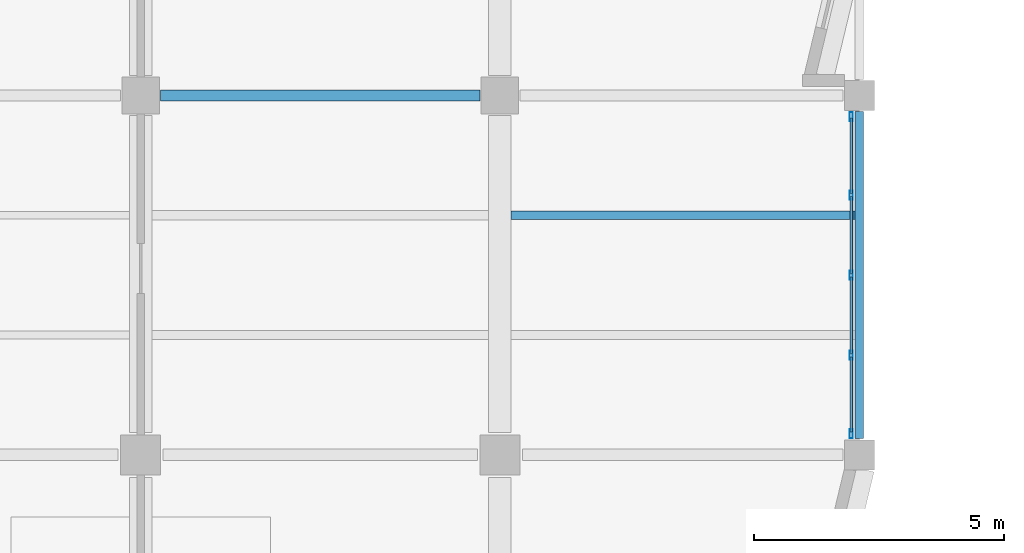
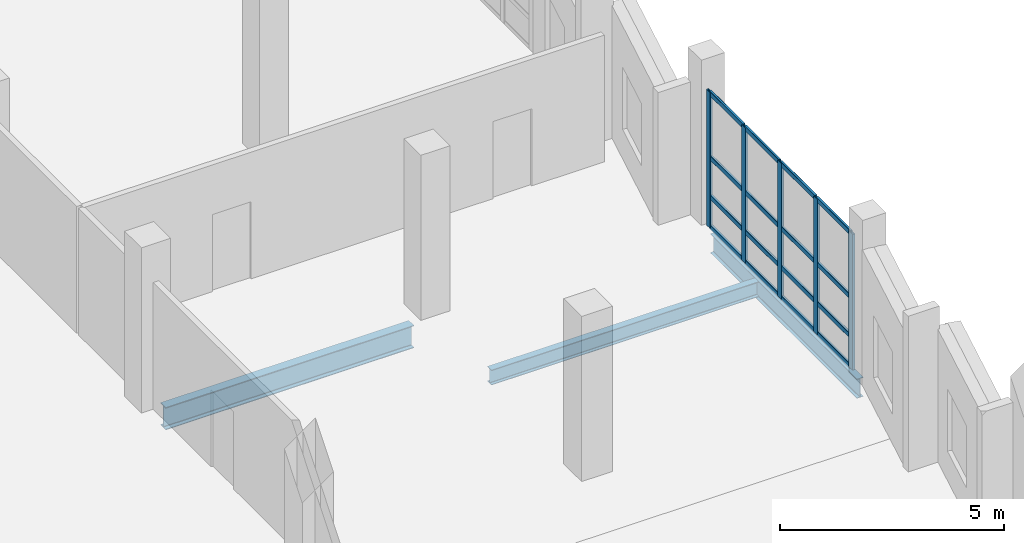
# One storey, part 42 of 123: 21 members, 3 beams, 1 element without a shape of its own.
"""IFC4 building model written with IfcOpenShell, lengths in metres."""

import ifcopenshell
import ifcopenshell.guid

model = None  # the IFC model being written
_history = None  # IfcOwnerHistory: only IFC2X3 demands one
_inside = {}  # id of a spatial element -> (the spatial element, [elements in it])
_under = {}  # id of a project, library or spatial element -> (it, [spatial elements below it])
_declared = {}  # id of a project -> (the project, [libraries it declares])
_typed = {}  # id of a type object -> (the type object, [elements of that type])
_made_of = {}  # id of a material, layer set ... -> (it, [elements and type objects made of it])


def new_model(schema):
    """Start an empty IFC model of exactly this schema.

    Asked for "IFC4X3", IfcOpenShell would pick the latest addendum, in which some entities
    have other attributes; the version numbers below select the first issue.
    IFC2X3 requires an IfcOwnerHistory on every rooted entity: one is made here for all.
    """
    global model, _history
    if schema == "IFC4X3":
        model = ifcopenshell.file(schema_version=(4, 3, 0, 0))
    else:
        model = ifcopenshell.file(schema=schema)
    _inside.clear()
    _under.clear()
    _declared.clear()
    _typed.clear()
    _made_of.clear()
    _history = None
    if model.schema == "IFC2X3":
        org = make("IfcOrganization", Name="unknown")
        user = make(
            "IfcPersonAndOrganization",
            ThePerson=make("IfcPerson", FamilyName="unknown"),
            TheOrganization=org,
        )
        app = make(
            "IfcApplication",
            ApplicationDeveloper=org,
            Version="unknown",
            ApplicationFullName="unknown",
            ApplicationIdentifier="unknown",
        )
        _history = make(
            "IfcOwnerHistory",
            OwningUser=user,
            OwningApplication=app,
            ChangeAction="ADDED",
            CreationDate=0,
        )
    return model


def make(cls, **values):
    """One entity of the class cls with the attributes given. An attribute that is None is left unset."""
    return model.create_entity(
        cls, **{name: value for name, value in values.items() if value is not None}
    )


def rooted(cls, **values):
    """An entity with a GlobalId (a new one), such as an element, a storey or a relation."""
    return make(cls, GlobalId=ifcopenshell.guid.new(), OwnerHistory=_history, **values)


def si_unit(unit_type, name, prefix=None):
    """IfcSIUnit, for example si_unit("LENGTHUNIT", "METRE", prefix="MILLI")."""
    return make("IfcSIUnit", UnitType=unit_type, Prefix=prefix, Name=name)


def assignment(units):
    """IfcUnitAssignment: the units of a project."""
    return None if units is None else make("IfcUnitAssignment", Units=units)


def point(xyz):
    """IfcCartesianPoint."""
    return None if xyz is None else make("IfcCartesianPoint", Coordinates=xyz)


def direction(xyz):
    """IfcDirection."""
    return None if xyz is None else make("IfcDirection", DirectionRatios=xyz)


def frame(location, z_axis=None, x_axis=None):
    """IfcAxis2Placement3D, a coordinate frame: its origin and axes. An axis left out is left unset."""
    return make(
        "IfcAxis2Placement3D",
        Location=point(location),
        Axis=direction(z_axis),
        RefDirection=direction(x_axis),
    )


def frame_2d(location, x_axis=None):
    """IfcAxis2Placement2D, a coordinate frame in the plane: its origin and x axis."""
    return make(
        "IfcAxis2Placement2D", Location=point(location), RefDirection=direction(x_axis)
    )


def origin():
    """The frame at (0, 0, 0) with its axes left unset."""
    return frame((0.0, 0.0, 0.0))


def origin_2d():
    """The frame at (0, 0) in the plane with its x axis left unset."""
    return frame_2d((0.0, 0.0))


def place(relative_to, where):
    """IfcLocalPlacement: puts the frame where relative to a parent placement (None: the world)."""
    return make(
        "IfcLocalPlacement", PlacementRelTo=relative_to, RelativePlacement=where
    )


def context(
    kind, dimensions, precision=None, world=None, true_north=None, identifier=None
):
    """IfcGeometricRepresentationContext, for example the 3D "Model" context."""
    return make(
        "IfcGeometricRepresentationContext",
        ContextIdentifier=identifier,
        ContextType=kind,
        CoordinateSpaceDimension=dimensions,
        Precision=precision,
        WorldCoordinateSystem=world,
        TrueNorth=true_north,
    )


def subcontext(parent, identifier, kind, view, scale=None):
    """IfcGeometricRepresentationSubContext, for example "Body" below "Model"."""
    return make(
        "IfcGeometricRepresentationSubContext",
        ContextIdentifier=identifier,
        ContextType=kind,
        ParentContext=parent,
        TargetScale=scale,
        TargetView=view,
    )


def project(units=None, contexts=None):
    """IfcProject with its units and contexts."""
    return rooted(
        "IfcProject",
        Name="project",
        RepresentationContexts=contexts,
        UnitsInContext=assignment(units),
    )


def spatial(cls, under=None, at=None, **own):
    """A site, building, storey or space (cls), placed at a placement, below another one or the project."""
    s = rooted(cls, ObjectPlacement=at, **own)
    if under is not None:
        _under.setdefault(under.id(), (under, []))[1].append(s)
    return s


def profile(cls, at=None, kind="AREA", **sizes):
    """A parametric profile (cls). Its sizes go by their IFC names, for example OverallWidth=200.0."""
    return make(cls, ProfileType=kind, Position=at, **sizes)


def hollow_rectangle(**sizes):
    """IfcRectangleHollowProfileDef."""
    return profile("IfcRectangleHollowProfileDef", **sizes)


def i_section(**sizes):
    """IfcIShapeProfileDef."""
    return profile("IfcIShapeProfileDef", **sizes)


def extrude(swept, where, along, depth):
    """IfcExtrudedAreaSolid: the profile swept, set in the frame where, extruded along a direction by depth."""
    return make(
        "IfcExtrudedAreaSolid",
        SweptArea=swept,
        Position=where,
        ExtrudedDirection=direction(along),
        Depth=depth,
    )


def shape(context_of_items, identifier, shape_type, items):
    """IfcShapeRepresentation: the items that make up one representation, for example the "Body"."""
    return make(
        "IfcShapeRepresentation",
        ContextOfItems=context_of_items,
        RepresentationIdentifier=identifier,
        RepresentationType=shape_type,
        Items=items,
    )


def material(Name=None, Category=None):
    """IfcMaterial."""
    return make("IfcMaterial", Name=Name, Category=Category)


def material_profile(
    of_material, cross_section, Name=None, Category=None, Priority=None
):
    """IfcMaterialProfile: a cross section and its material."""
    return make(
        "IfcMaterialProfile",
        Name=Name,
        Material=of_material,
        Profile=cross_section,
        Priority=Priority,
        Category=Category,
    )


def profile_set(profiles, Name=None, composite=None):
    """IfcMaterialProfileSet."""
    return make(
        "IfcMaterialProfileSet",
        Name=Name,
        MaterialProfiles=profiles,
        CompositeProfile=composite,
    )


def made_of(thing, what):
    """Note that an element or type object is made of a material, layer set ...; save() writes the relation."""
    if what is not None:
        _made_of.setdefault(what.id(), (what, []))[1].append(thing)
    return thing


def type_object(cls, material=None, **own):
    """A type object (cls), such as IfcWallType, which elements share."""
    return made_of(rooted(cls, **own), material)


def element(
    cls,
    number,
    at=None,
    inside=None,
    cuts=None,
    type_object=None,
    material=None,
    context=None,
    identifier="Body",
    shape_type=None,
    held_by="IfcProductDefinitionShape",
    body=None,
    shapes=None,
    **own,
):
    """One element of the class cls, such as IfcWall. Its Tag is "e" and its number.

    at: its placement. inside: the storey or other place that contains it. cuts: it is an
    opening in that element (IfcRelVoidsElement). A single representation is given by context,
    identifier, shape_type and body (its items); several are given by shapes. held_by: the class
    of the entity that holds the representations. save() writes the other relations.
    """
    e = rooted(cls, Tag="e%d" % number, ObjectPlacement=at, **own)
    if body is not None:
        shapes = [shape(context, identifier, shape_type, body)]
    if shapes is not None:
        e.Representation = make(held_by, Representations=shapes)
    if inside is not None:
        _inside.setdefault(inside.id(), (inside, []))[1].append(e)
    if cuts is not None:
        rooted(
            "IfcRelVoidsElement", RelatingBuildingElement=cuts, RelatedOpeningElement=e
        )
    if type_object is not None:
        _typed.setdefault(type_object.id(), (type_object, []))[1].append(e)
    return made_of(e, material)


def aggregate(whole, parts):
    """IfcRelAggregates: a whole, such as a stair, and the parts it consists of."""
    return rooted("IfcRelAggregates", RelatingObject=whole, RelatedObjects=parts)


def save(model, path):
    """Write the relations noted so far, then the file.

    IfcRelAggregates (storeys below a building ...), IfcRelContainedInSpatialStructure (elements
    in a storey), IfcRelDefinesByType, IfcRelAssociatesMaterial and IfcRelDeclares: one each for
    every whole, place, type object, material and project.
    """
    for whole, parts in _under.values():
        aggregate(whole, parts)
    for where, things in _inside.values():
        rooted(
            "IfcRelContainedInSpatialStructure",
            RelatedElements=things,
            RelatingStructure=where,
        )
    for kind, things in _typed.values():
        rooted("IfcRelDefinesByType", RelatedObjects=things, RelatingType=kind)
    for what, things in _made_of.values():
        rooted("IfcRelAssociatesMaterial", RelatedObjects=things, RelatingMaterial=what)
    for by, libraries in _declared.values():
        rooted("IfcRelDeclares", RelatingContext=by, RelatedDefinitions=libraries)
    model.write(path)


model = new_model("IFC4")

# Units and contexts
model_context = context("Model", 3, precision=1e-05, world=origin(), true_north=direction((0.0, 1.0)))
body_context = subcontext(model_context, "Body", "Model", "MODEL_VIEW")
ifc_project = project(units=[si_unit("LENGTHUNIT", "METRE"), si_unit("AREAUNIT", "SQUARE_METRE"), si_unit("VOLUMEUNIT", "CUBIC_METRE"), si_unit("PLANEANGLEUNIT", "RADIAN"), si_unit("MASSUNIT", "GRAM", prefix="KILO")], contexts=[model_context])

# Site, building, storey
site_placement = place(None, origin())
site = spatial("IfcSite", under=ifc_project, at=site_placement, CompositionType="ELEMENT")
building_placement = place(site_placement, origin())
building = spatial("IfcBuilding", under=site, at=building_placement, Name="Kalmorath City Hall", CompositionType="ELEMENT")
storey_placement = place(building_placement, frame((0.0, 0.0, 10.199951171875)))
storey = spatial("IfcBuildingStorey", under=building, at=storey_placement, Name="L02", CompositionType="ELEMENT", Elevation=10.199951171875)

# Curtain wall, members
ifc_material_1 = material(Name="Anodised aluminium and laminated glass", Category="aluminium")
curtain_wall_type = type_object("IfcCurtainWallType", Name="Unitised hurricane curtain wall 6420x3696 M1450", PredefinedType="NOTDEFINED", material=ifc_material_1)
curtain_wall_placement = place(storey_placement, origin())
curtain_wall = element("IfcCurtainWall", 1, at=curtain_wall_placement, inside=storey, type_object=curtain_wall_type, Name="L02 curtain wall CW-64X37M14 #140", PredefinedType="NOTDEFINED")
ifc_material_2 = material(Name="Anodised aluminium framing", Category="aluminium")
ifc_material_profile_1 = material_profile(ifc_material_2, hollow_rectangle(XDim=0.06494140625, YDim=0.179931640625, WallThickness=0.00390625, InnerFilletRadius=0.00390625, OuterFilletRadius=0.008056640625, at=origin_2d()), Name="ALU-MUL-180X65X4")
ifc_profile_set_1 = profile_set([ifc_material_profile_1], Name="Anodised aluminium framing")
member_type_1 = type_object("IfcMemberType", Name="Curtain-wall courtyard mullion 180x65", PredefinedType="MULLION", material=ifc_profile_set_1)
member_1_placement = place(storey_placement, frame((28.639892578125, 71.577392578125, 0.0), z_axis=(0.0, 0.0, 1.0), x_axis=(1.0, 0.0, 0.0)))
member_1 = element("IfcMember", 2, at=member_1_placement, type_object=member_type_1, Name="CW-64X37M14 mullion 1", PredefinedType="MULLION", context=body_context, shape_type="SweptSolid", body=[
    extrude(hollow_rectangle(XDim=0.06494140625, YDim=0.179931640625, WallThickness=0.00390625, InnerFilletRadius=0.00390625, OuterFilletRadius=0.008056640625, at=origin_2d()), origin(), (0.0, 0.0, 1.0), 3.696044921875),
])
member_2_placement = place(storey_placement, frame((28.639892578125, 70.0048828125, 0.0), z_axis=(0.0, 0.0, 1.0), x_axis=(1.0, 0.0, 0.0)))
member_2 = element("IfcMember", 3, at=member_2_placement, type_object=member_type_1, Name="CW-64X37M14 mullion 2", PredefinedType="MULLION", context=body_context, shape_type="SweptSolid", body=[
    extrude(hollow_rectangle(XDim=0.06494140625, YDim=0.179931640625, WallThickness=0.00390625, InnerFilletRadius=0.00390625, OuterFilletRadius=0.008056640625, at=origin_2d()), origin(), (0.0, 0.0, 1.0), 3.696044921875),
])
member_3_placement = place(storey_placement, frame((28.639892578125, 68.39990234375, 0.0), z_axis=(0.0, 0.0, 1.0), x_axis=(1.0, 0.0, 0.0)))
member_3 = element("IfcMember", 4, at=member_3_placement, type_object=member_type_1, Name="CW-64X37M14 mullion 3", PredefinedType="MULLION", context=body_context, shape_type="SweptSolid", body=[
    extrude(hollow_rectangle(XDim=0.06494140625, YDim=0.179931640625, WallThickness=0.00390625, InnerFilletRadius=0.00390625, OuterFilletRadius=0.008056640625, at=origin_2d()), origin(), (0.0, 0.0, 1.0), 3.696044921875),
])
member_4_placement = place(storey_placement, frame((28.639892578125, 66.794921875, 0.0), z_axis=(0.0, 0.0, 1.0), x_axis=(1.0, 0.0, 0.0)))
member_4 = element("IfcMember", 5, at=member_4_placement, type_object=member_type_1, Name="CW-64X37M14 mullion 4", PredefinedType="MULLION", context=body_context, shape_type="SweptSolid", body=[
    extrude(hollow_rectangle(XDim=0.06494140625, YDim=0.179931640625, WallThickness=0.00390625, InnerFilletRadius=0.00390625, OuterFilletRadius=0.008056640625, at=origin_2d()), origin(), (0.0, 0.0, 1.0), 3.696044921875),
])
member_5_placement = place(storey_placement, frame((28.639892578125, 65.222412109375, 0.0), z_axis=(0.0, 0.0, 1.0), x_axis=(1.0, 0.0, 0.0)))
member_5 = element("IfcMember", 6, at=member_5_placement, type_object=member_type_1, Name="CW-64X37M14 mullion 5", PredefinedType="MULLION", context=body_context, shape_type="SweptSolid", body=[
    extrude(hollow_rectangle(XDim=0.06494140625, YDim=0.179931640625, WallThickness=0.00390625, InnerFilletRadius=0.00390625, OuterFilletRadius=0.008056640625, at=origin_2d()), origin(), (0.0, 0.0, 1.0), 3.696044921875),
])
ifc_material_3 = material(Name="Anodised aluminium framing", Category="aluminium")
ifc_material_profile_2 = material_profile(ifc_material_3, hollow_rectangle(XDim=0.06005859375, YDim=0.1298828125, WallThickness=0.00341796875, InnerFilletRadius=0.00341796875, OuterFilletRadius=0.007080078125, at=origin_2d()), Name="ALU-TRN-130X60X3.5")
ifc_profile_set_2 = profile_set([ifc_material_profile_2], Name="Anodised aluminium framing")
member_type_2 = type_object("IfcMemberType", Name="Curtain-wall courtyard transom 130x60", PredefinedType="USERDEFINED", material=ifc_profile_set_2)
member_6_placement = place(storey_placement, frame((28.639892578125, 71.544921875, 0.030029296875), z_axis=(0.0, -1.0, 0.0), x_axis=(1.0, 0.0, 0.0)))
member_6 = element("IfcMember", 7, at=member_6_placement, type_object=member_type_2, Name="CW-64X37M14 transom 1.1", ObjectType="TRANSOM", PredefinedType="USERDEFINED", context=body_context, shape_type="SweptSolid", body=[
    extrude(hollow_rectangle(XDim=0.06005859375, YDim=0.1298828125, WallThickness=0.00341796875, InnerFilletRadius=0.00341796875, OuterFilletRadius=0.007080078125, at=origin_2d()), origin(), (0.0, 0.0, 1.0), 1.50732421875),
])
member_7_placement = place(storey_placement, frame((28.639892578125, 71.544921875, 0.85009765625), z_axis=(0.0, -1.0, 0.0), x_axis=(1.0, 0.0, 0.0)))
member_7 = element("IfcMember", 8, at=member_7_placement, type_object=member_type_2, Name="CW-64X37M14 transom 1.2", ObjectType="TRANSOM", PredefinedType="USERDEFINED", context=body_context, shape_type="SweptSolid", body=[
    extrude(hollow_rectangle(XDim=0.06005859375, YDim=0.1298828125, WallThickness=0.00341796875, InnerFilletRadius=0.00341796875, OuterFilletRadius=0.007080078125, at=origin_2d()), origin(), (0.0, 0.0, 1.0), 1.50732421875),
])
member_8_placement = place(storey_placement, frame((28.639892578125, 71.544921875, 1.922119140625), z_axis=(0.0, -1.0, 0.0), x_axis=(1.0, 0.0, 0.0)))
member_8 = element("IfcMember", 9, at=member_8_placement, type_object=member_type_2, Name="CW-64X37M14 transom 1.3", ObjectType="TRANSOM", PredefinedType="USERDEFINED", context=body_context, shape_type="SweptSolid", body=[
    extrude(hollow_rectangle(XDim=0.06005859375, YDim=0.1298828125, WallThickness=0.00341796875, InnerFilletRadius=0.00341796875, OuterFilletRadius=0.007080078125, at=origin_2d()), origin(), (0.0, 0.0, 1.0), 1.50732421875),
])
member_9_placement = place(storey_placement, frame((28.639892578125, 71.544921875, 3.666015625), z_axis=(0.0, -1.0, 0.0), x_axis=(1.0, 0.0, 0.0)))
member_9 = element("IfcMember", 10, at=member_9_placement, type_object=member_type_2, Name="CW-64X37M14 transom 1.4", ObjectType="TRANSOM", PredefinedType="USERDEFINED", context=body_context, shape_type="SweptSolid", body=[
    extrude(hollow_rectangle(XDim=0.06005859375, YDim=0.1298828125, WallThickness=0.00341796875, InnerFilletRadius=0.00341796875, OuterFilletRadius=0.007080078125, at=origin_2d()), origin(), (0.0, 0.0, 1.0), 1.50732421875),
])
member_10_placement = place(storey_placement, frame((28.639892578125, 69.972412109375, 0.030029296875), z_axis=(0.0, -1.0, 0.0), x_axis=(1.0, 0.0, 0.0)))
member_10 = element("IfcMember", 11, at=member_10_placement, type_object=member_type_2, Name="CW-64X37M14 transom 2.1", ObjectType="TRANSOM", PredefinedType="USERDEFINED", context=body_context, shape_type="SweptSolid", body=[
    extrude(hollow_rectangle(XDim=0.06005859375, YDim=0.1298828125, WallThickness=0.00341796875, InnerFilletRadius=0.00341796875, OuterFilletRadius=0.007080078125, at=origin_2d()), origin(), (0.0, 0.0, 1.0), 1.539794921875),
])
member_11_placement = place(storey_placement, frame((28.639892578125, 69.972412109375, 0.85009765625), z_axis=(0.0, -1.0, 0.0), x_axis=(1.0, 0.0, 0.0)))
member_11 = element("IfcMember", 12, at=member_11_placement, type_object=member_type_2, Name="CW-64X37M14 transom 2.2", ObjectType="TRANSOM", PredefinedType="USERDEFINED", context=body_context, shape_type="SweptSolid", body=[
    extrude(hollow_rectangle(XDim=0.06005859375, YDim=0.1298828125, WallThickness=0.00341796875, InnerFilletRadius=0.00341796875, OuterFilletRadius=0.007080078125, at=origin_2d()), origin(), (0.0, 0.0, 1.0), 1.539794921875),
])
member_12_placement = place(storey_placement, frame((28.639892578125, 69.972412109375, 1.922119140625), z_axis=(0.0, -1.0, 0.0), x_axis=(1.0, 0.0, 0.0)))
member_12 = element("IfcMember", 13, at=member_12_placement, type_object=member_type_2, Name="CW-64X37M14 transom 2.3", ObjectType="TRANSOM", PredefinedType="USERDEFINED", context=body_context, shape_type="SweptSolid", body=[
    extrude(hollow_rectangle(XDim=0.06005859375, YDim=0.1298828125, WallThickness=0.00341796875, InnerFilletRadius=0.00341796875, OuterFilletRadius=0.007080078125, at=origin_2d()), origin(), (0.0, 0.0, 1.0), 1.539794921875),
])
member_13_placement = place(storey_placement, frame((28.639892578125, 69.972412109375, 3.666015625), z_axis=(0.0, -1.0, 0.0), x_axis=(1.0, 0.0, 0.0)))
member_13 = element("IfcMember", 14, at=member_13_placement, type_object=member_type_2, Name="CW-64X37M14 transom 2.4", ObjectType="TRANSOM", PredefinedType="USERDEFINED", context=body_context, shape_type="SweptSolid", body=[
    extrude(hollow_rectangle(XDim=0.06005859375, YDim=0.1298828125, WallThickness=0.00341796875, InnerFilletRadius=0.00341796875, OuterFilletRadius=0.007080078125, at=origin_2d()), origin(), (0.0, 0.0, 1.0), 1.539794921875),
])
member_14_placement = place(storey_placement, frame((28.639892578125, 68.367431640625, 0.030029296875), z_axis=(0.0, -1.0, 0.0), x_axis=(1.0, 0.0, 0.0)))
member_14 = element("IfcMember", 15, at=member_14_placement, type_object=member_type_2, Name="CW-64X37M14 transom 3.1", ObjectType="TRANSOM", PredefinedType="USERDEFINED", context=body_context, shape_type="SweptSolid", body=[
    extrude(hollow_rectangle(XDim=0.06005859375, YDim=0.1298828125, WallThickness=0.00341796875, InnerFilletRadius=0.00341796875, OuterFilletRadius=0.007080078125, at=origin_2d()), origin(), (0.0, 0.0, 1.0), 1.5400390625),
])
member_15_placement = place(storey_placement, frame((28.639892578125, 68.367431640625, 0.85009765625), z_axis=(0.0, -1.0, 0.0), x_axis=(1.0, 0.0, 0.0)))
member_15 = element("IfcMember", 16, at=member_15_placement, type_object=member_type_2, Name="CW-64X37M14 transom 3.2", ObjectType="TRANSOM", PredefinedType="USERDEFINED", context=body_context, shape_type="SweptSolid", body=[
    extrude(hollow_rectangle(XDim=0.06005859375, YDim=0.1298828125, WallThickness=0.00341796875, InnerFilletRadius=0.00341796875, OuterFilletRadius=0.007080078125, at=origin_2d()), origin(), (0.0, 0.0, 1.0), 1.5400390625),
])
member_16_placement = place(storey_placement, frame((28.639892578125, 68.367431640625, 1.922119140625), z_axis=(0.0, -1.0, 0.0), x_axis=(1.0, 0.0, 0.0)))
member_16 = element("IfcMember", 17, at=member_16_placement, type_object=member_type_2, Name="CW-64X37M14 transom 3.3", ObjectType="TRANSOM", PredefinedType="USERDEFINED", context=body_context, shape_type="SweptSolid", body=[
    extrude(hollow_rectangle(XDim=0.06005859375, YDim=0.1298828125, WallThickness=0.00341796875, InnerFilletRadius=0.00341796875, OuterFilletRadius=0.007080078125, at=origin_2d()), origin(), (0.0, 0.0, 1.0), 1.5400390625),
])
member_17_placement = place(storey_placement, frame((28.639892578125, 68.367431640625, 3.666015625), z_axis=(0.0, -1.0, 0.0), x_axis=(1.0, 0.0, 0.0)))
member_17 = element("IfcMember", 18, at=member_17_placement, type_object=member_type_2, Name="CW-64X37M14 transom 3.4", ObjectType="TRANSOM", PredefinedType="USERDEFINED", context=body_context, shape_type="SweptSolid", body=[
    extrude(hollow_rectangle(XDim=0.06005859375, YDim=0.1298828125, WallThickness=0.00341796875, InnerFilletRadius=0.00341796875, OuterFilletRadius=0.007080078125, at=origin_2d()), origin(), (0.0, 0.0, 1.0), 1.5400390625),
])
member_18_placement = place(storey_placement, frame((28.639892578125, 66.762451171875, 0.030029296875), z_axis=(0.0, -1.0, 0.0), x_axis=(1.0, 0.0, 0.0)))
member_18 = element("IfcMember", 19, at=member_18_placement, type_object=member_type_2, Name="CW-64X37M14 transom 4.1", ObjectType="TRANSOM", PredefinedType="USERDEFINED", context=body_context, shape_type="SweptSolid", body=[
    extrude(hollow_rectangle(XDim=0.06005859375, YDim=0.1298828125, WallThickness=0.00341796875, InnerFilletRadius=0.00341796875, OuterFilletRadius=0.007080078125, at=origin_2d()), origin(), (0.0, 0.0, 1.0), 1.507568359375),
])
member_19_placement = place(storey_placement, frame((28.639892578125, 66.762451171875, 0.85009765625), z_axis=(0.0, -1.0, 0.0), x_axis=(1.0, 0.0, 0.0)))
member_19 = element("IfcMember", 20, at=member_19_placement, type_object=member_type_2, Name="CW-64X37M14 transom 4.2", ObjectType="TRANSOM", PredefinedType="USERDEFINED", context=body_context, shape_type="SweptSolid", body=[
    extrude(hollow_rectangle(XDim=0.06005859375, YDim=0.1298828125, WallThickness=0.00341796875, InnerFilletRadius=0.00341796875, OuterFilletRadius=0.007080078125, at=origin_2d()), origin(), (0.0, 0.0, 1.0), 1.507568359375),
])
member_20_placement = place(storey_placement, frame((28.639892578125, 66.762451171875, 1.922119140625), z_axis=(0.0, -1.0, 0.0), x_axis=(1.0, 0.0, 0.0)))
member_20 = element("IfcMember", 21, at=member_20_placement, type_object=member_type_2, Name="CW-64X37M14 transom 4.3", ObjectType="TRANSOM", PredefinedType="USERDEFINED", context=body_context, shape_type="SweptSolid", body=[
    extrude(hollow_rectangle(XDim=0.06005859375, YDim=0.1298828125, WallThickness=0.00341796875, InnerFilletRadius=0.00341796875, OuterFilletRadius=0.007080078125, at=origin_2d()), origin(), (0.0, 0.0, 1.0), 1.507568359375),
])
member_21_placement = place(storey_placement, frame((28.639892578125, 66.762451171875, 3.666015625), z_axis=(0.0, -1.0, 0.0), x_axis=(1.0, 0.0, 0.0)))
member_21 = element("IfcMember", 22, at=member_21_placement, type_object=member_type_2, Name="CW-64X37M14 transom 4.4", ObjectType="TRANSOM", PredefinedType="USERDEFINED", context=body_context, shape_type="SweptSolid", body=[
    extrude(hollow_rectangle(XDim=0.06005859375, YDim=0.1298828125, WallThickness=0.00341796875, InnerFilletRadius=0.00341796875, OuterFilletRadius=0.007080078125, at=origin_2d()), origin(), (0.0, 0.0, 1.0), 1.507568359375),
])
aggregate(curtain_wall, [member_1, member_2, member_3, member_4, member_5, member_6, member_7, member_8, member_9, member_10, member_11, member_12, member_13, member_14, member_15, member_16, member_17, member_18, member_19, member_20, member_21])

# Beams
ifc_material_4 = material(Name="Steel ASTM A992 Grade 50", Category="steel")
ifc_material_profile_3 = material_profile(ifc_material_4, i_section(OverallWidth=0.178955078125, OverallDepth=0.409912109375, WebThickness=0.0087890625, FlangeThickness=0.014404296875, FilletRadius=0.012939453125, at=origin_2d()), Name="W16X45")
ifc_profile_set_3 = profile_set([ifc_material_profile_3], Name="Steel ASTM A992 Grade 50")
beam_type_1 = type_object("IfcBeamType", Name="Steel composite joist W16X45", PredefinedType="JOIST", material=ifc_profile_set_3)
beam_1_placement = place(storey_placement, frame((21.824951171875, 69.60009765625, -0.489013671875), z_axis=(1.0, 0.0, 0.0), x_axis=(0.0, 1.0, 0.0)))
element("IfcBeam", 23, at=beam_1_placement, inside=storey, type_object=beam_type_1, Name="L02 joist SJ6 4.10.2", PredefinedType="JOIST", context=body_context, shape_type="SweptSolid", body=[
    extrude(i_section(OverallWidth=0.178955078125, OverallDepth=0.409912109375, WebThickness=0.0087890625, FlangeThickness=0.014404296875, FilletRadius=0.012939453125, at=origin_2d()), origin(), (0.0, 0.0, 1.0), 6.892578125),
])
ifc_material_5 = material(Name="Steel ASTM A992 Grade 50", Category="steel")
ifc_material_profile_4 = material_profile(ifc_material_5, i_section(OverallWidth=0.22900390625, OverallDepth=0.612060546875, WebThickness=0.011962890625, FlangeThickness=0.01953125, FilletRadius=0.01611328125, at=origin_2d()), Name="W24X84")
ifc_profile_set_4 = profile_set([ifc_material_profile_4], Name="Steel ASTM A992 Grade 50")
beam_type_2 = type_object("IfcBeamType", Name="Steel floor girder W24X84", PredefinedType="BEAM", material=ifc_profile_set_4)
beam_2_placement = place(storey_placement, frame((14.800048828125, 72.0, -0.58984375), z_axis=(1.0, 0.0, 0.0), x_axis=(0.0, 1.0, 0.0)))
element("IfcBeam", 24, at=beam_2_placement, inside=storey, type_object=beam_type_2, Name="L02 girder SG8 X3-4/11", PredefinedType="BEAM", context=body_context, shape_type="SweptSolid", body=[
    extrude(i_section(OverallWidth=0.22900390625, OverallDepth=0.612060546875, WebThickness=0.011962890625, FlangeThickness=0.01953125, FilletRadius=0.01611328125, at=origin_2d()), origin(), (0.0, 0.0, 1.0), 6.39990234375),
])
ifc_material_6 = material(Name="Steel ASTM A992 Grade 50", Category="steel")
ifc_material_profile_5 = material_profile(ifc_material_6, i_section(OverallWidth=0.1650390625, OverallDepth=0.52490234375, WebThickness=0.0087890625, FlangeThickness=0.011474609375, FilletRadius=0.014892578125, at=origin_2d()), Name="W21X44")
ifc_profile_set_5 = profile_set([ifc_material_profile_5], Name="Steel ASTM A992 Grade 50")
beam_type_3 = type_object("IfcBeamType", Name="Steel spandrel beam W21X44", PredefinedType="SPANDREL", material=ifc_profile_set_5)
beam_3_placement = place(storey_placement, frame((28.800048828125, 65.125, -0.54638671875), z_axis=(0.0, 1.0, 0.0), x_axis=(-1.0, 0.0, 0.0)))
element("IfcBeam", 25, at=beam_3_placement, inside=storey, type_object=beam_type_3, Name="L02 girder SB4 Y5/10-11", PredefinedType="SPANDREL", context=body_context, shape_type="SweptSolid", body=[
    extrude(i_section(OverallWidth=0.1650390625, OverallDepth=0.52490234375, WebThickness=0.0087890625, FlangeThickness=0.011474609375, FilletRadius=0.014892578125, at=origin_2d()), origin(), (0.0, 0.0, 1.0), 6.550048828125),
])

save(model, "model.ifc")
